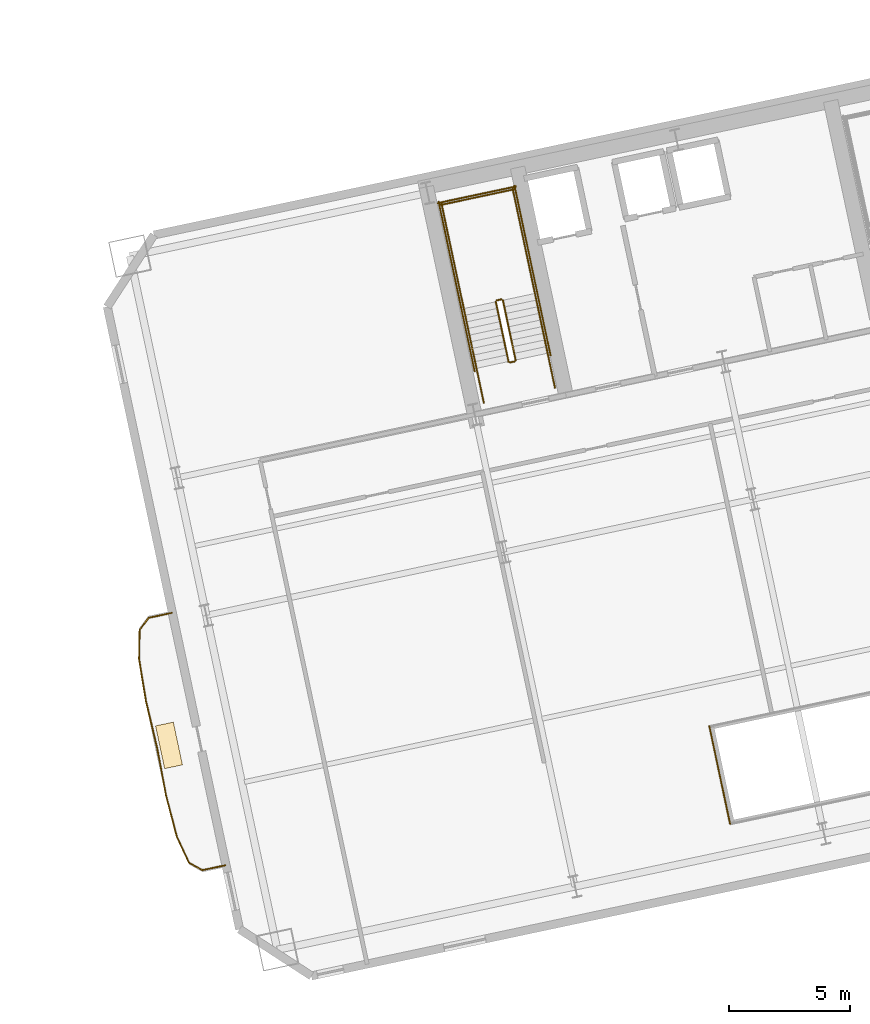
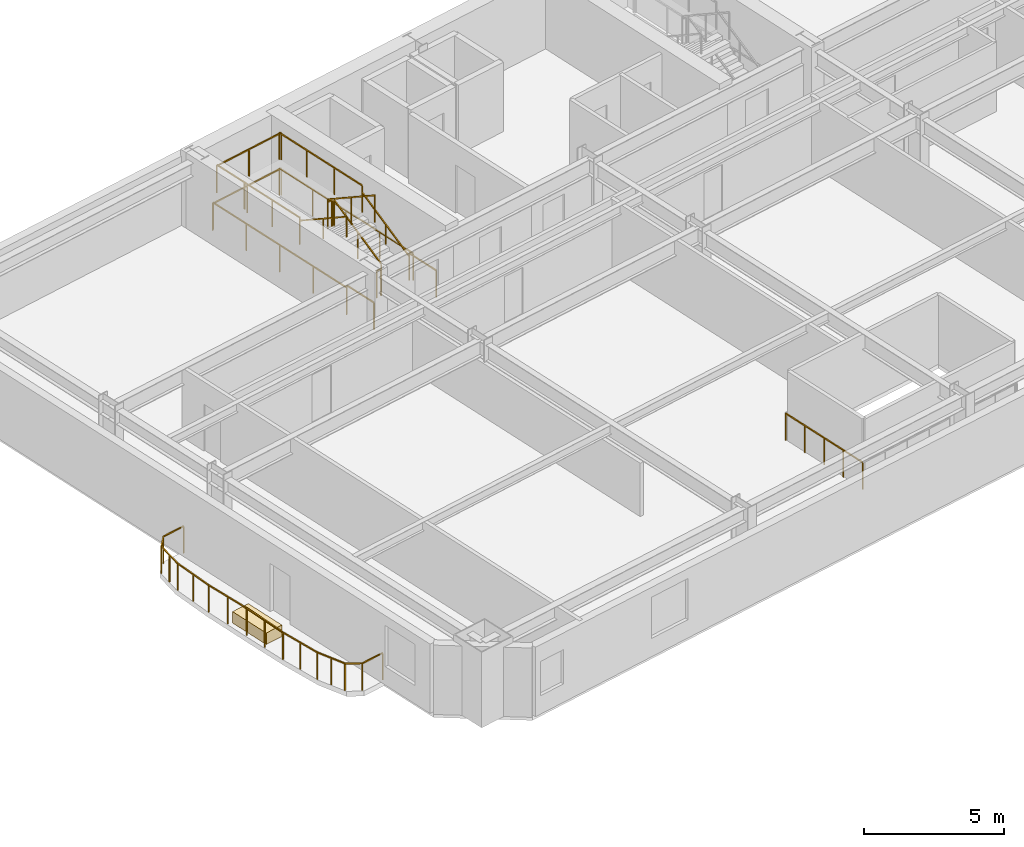
# One storey, part 14 of 15: 25 railings, 1 covering.
"""IFC4 building model written with IfcOpenShell, lengths in metres."""

from ifc_helpers import new_model, si_unit, direction, frame, origin, origin_2d, place, context, subcontext, project, spatial, rectangle, extrude, material, layer, layer_set, type_object, element, save


model = new_model("IFC4")

# Units and contexts
model_context = context("Model", 3, precision=1e-05, world=origin(), true_north=direction((0.0, 1.0)))
body_context = subcontext(model_context, "Body", "Model", "MODEL_VIEW")
ifc_project = project(units=[si_unit("LENGTHUNIT", "METRE"), si_unit("AREAUNIT", "SQUARE_METRE"), si_unit("VOLUMEUNIT", "CUBIC_METRE"), si_unit("PLANEANGLEUNIT", "RADIAN"), si_unit("MASSUNIT", "GRAM", prefix="KILO")], contexts=[model_context])

# Site, building, storey
site_placement = place(None, origin())
site = spatial("IfcSite", under=ifc_project, at=site_placement, CompositionType="ELEMENT")
building_placement = place(site_placement, origin())
building = spatial("IfcBuilding", under=site, at=building_placement, Name="Haevon Station Towers", CompositionType="ELEMENT")
storey_placement = place(building_placement, frame((0.0, 0.0, 63.60009765625)))
storey = spatial("IfcBuildingStorey", under=building, at=storey_placement, Name="L16", CompositionType="ELEMENT", Elevation=63.60009765625)

# Railings
ifc_material_1 = material(Name="Steel S355", Category="steel")
railing_type_1 = type_object("IfcRailingType", Name="BAL-ATR1200", PredefinedType="BALUSTRADE", material=ifc_material_1)
railing_1_placement = place(storey_placement, frame((108.432861328125, 24.582275390625, 0.0)))
element("IfcRailing", 1, at=railing_1_placement, inside=storey, type_object=railing_type_1, Name="L16 Atrium Void Balustrade 4", PredefinedType="BALUSTRADE", context=body_context, shape_type="SweptSolid", body=[
    extrude(rectangle(XDim=0.048095703125, YDim=0.048095703125, at=origin_2d()), frame((0.0, 0.0, 1.17578125), z_axis=(0.207872232727, -0.978155986978, 0.0), x_axis=(0.978155986978, 0.207872232727, 0.0)), (0.0, 0.0, 1.0), 4.116455078125),
    extrude(rectangle(XDim=0.0419921875, YDim=0.0419921875, at=origin_2d()), origin(), (0.0, 0.0, 1.0), 1.15185546875),
    extrude(rectangle(XDim=0.0419921875, YDim=0.0419921875, at=origin_2d()), frame((0.2138671875, -1.006591796875, 0.0)), (0.0, 0.0, 1.0), 1.15185546875),
    extrude(rectangle(XDim=0.0419921875, YDim=0.0419921875, at=origin_2d()), frame((0.427734375, -2.01318359375, 0.0)), (0.0, 0.0, 1.0), 1.15185546875),
    extrude(rectangle(XDim=0.0419921875, YDim=0.0419921875, at=origin_2d()), frame((0.641845703125, -3.02001953125, 0.0)), (0.0, 0.0, 1.0), 1.15185546875),
    extrude(rectangle(XDim=0.0419921875, YDim=0.0419921875, at=origin_2d()), frame((0.855712890625, -4.026611328125, 0.0)), (0.0, 0.0, 1.0), 1.15185546875),
])
railing_type_2 = type_object("IfcRailingType", Name="GRD-EXT1200", PredefinedType="GUARDRAIL", material=ifc_material_1)
railing_2_placement = place(storey_placement, frame((86.256591796875, 29.2626953125, 0.0)))
element("IfcRailing", 2, at=railing_2_placement, inside=storey, type_object=railing_type_2, Name="L16 Perimeter Guardrail 1", PredefinedType="GUARDRAIL", context=body_context, shape_type="SweptSolid", body=[
    extrude(rectangle(XDim=0.048095703125, YDim=0.048095703125, at=origin_2d()), frame((0.0, 0.0, 1.17578125), z_axis=(-0.977758388436, -0.209734436474, 0.0), x_axis=(0.209734436474, -0.977758388436, 0.0)), (0.0, 0.0, 1.0), 0.974365234375),
    extrude(rectangle(XDim=0.0419921875, YDim=0.0419921875, at=origin_2d()), origin(), (0.0, 0.0, 1.0), 1.15185546875),
    extrude(rectangle(XDim=0.0419921875, YDim=0.0419921875, at=origin_2d()), frame((-0.95263671875, -0.204345703125, 0.0)), (0.0, 0.0, 1.0), 1.15185546875),
])
railing_3_placement = place(storey_placement, frame((85.303955078125, 29.058349609375, 0.0)))
element("IfcRailing", 3, at=railing_3_placement, inside=storey, type_object=railing_type_2, Name="L16 Perimeter Guardrail 2", PredefinedType="GUARDRAIL", context=body_context, shape_type="SweptSolid", body=[
    extrude(rectangle(XDim=0.048095703125, YDim=0.048095703125, at=origin_2d()), frame((0.0, 0.0, 1.17578125), z_axis=(-0.59711052014, -0.802158978468, 0.0), x_axis=(0.802158978468, -0.59711052014, 0.0)), (0.0, 0.0, 1.0), 0.622802734375),
    extrude(rectangle(XDim=0.0419921875, YDim=0.0419921875, at=origin_2d()), origin(), (0.0, 0.0, 1.0), 1.15185546875),
    extrude(rectangle(XDim=0.0419921875, YDim=0.0419921875, at=origin_2d()), frame((-0.371826171875, -0.49951171875, 0.0)), (0.0, 0.0, 1.0), 1.15185546875),
])
railing_4_placement = place(storey_placement, frame((84.93212890625, 28.558837890625, 0.0)))
element("IfcRailing", 4, at=railing_4_placement, inside=storey, type_object=railing_type_2, Name="L16 Perimeter Guardrail 3", PredefinedType="GUARDRAIL", context=body_context, shape_type="SweptSolid", body=[
    extrude(rectangle(XDim=0.048095703125, YDim=0.048095703125, at=origin_2d()), frame((0.0, 0.0, 1.17578125), z_axis=(-0.019914748945, -0.999801681722, 0.0), x_axis=(0.999801681722, -0.019914748945, 0.0)), (0.0, 0.0, 1.0), 1.201416015625),
    extrude(rectangle(XDim=0.0419921875, YDim=0.0419921875, at=origin_2d()), origin(), (0.0, 0.0, 1.0), 1.15185546875),
    extrude(rectangle(XDim=0.0419921875, YDim=0.0419921875, at=origin_2d()), frame((-0.011962890625, -0.6005859375, 0.0)), (0.0, 0.0, 1.0), 1.15185546875),
    extrude(rectangle(XDim=0.0419921875, YDim=0.0419921875, at=origin_2d()), frame((-0.02392578125, -1.201171875, 0.0)), (0.0, 0.0, 1.0), 1.15185546875),
])
railing_5_placement = place(storey_placement, frame((84.908203125, 27.357666015625, 0.0)))
element("IfcRailing", 5, at=railing_5_placement, inside=storey, type_object=railing_type_2, Name="L16 Perimeter Guardrail 4", PredefinedType="GUARDRAIL", context=body_context, shape_type="SweptSolid", body=[
    extrude(rectangle(XDim=0.048095703125, YDim=0.048095703125, at=origin_2d()), frame((0.0, 0.0, 1.17578125), z_axis=(0.162386938524, -0.986727156917, 0.0), x_axis=(0.986727156917, 0.162386938524, 0.0)), (0.0, 0.0, 1.0), 1.75146484375),
    extrude(rectangle(XDim=0.0419921875, YDim=0.0419921875, at=origin_2d()), origin(), (0.0, 0.0, 1.0), 1.15185546875),
    extrude(rectangle(XDim=0.0419921875, YDim=0.0419921875, at=origin_2d()), frame((0.14208984375, -0.8642578125, 0.0)), (0.0, 0.0, 1.0), 1.15185546875),
    extrude(rectangle(XDim=0.0419921875, YDim=0.0419921875, at=origin_2d()), frame((0.284423828125, -1.728271484375, 0.0)), (0.0, 0.0, 1.0), 1.15185546875),
])
railing_6_placement = place(storey_placement, frame((85.192626953125, 25.62939453125, 0.0)))
element("IfcRailing", 6, at=railing_6_placement, inside=storey, type_object=railing_type_2, Name="L16 Perimeter Guardrail 5", PredefinedType="GUARDRAIL", context=body_context, shape_type="SweptSolid", body=[
    extrude(rectangle(XDim=0.048095703125, YDim=0.048095703125, at=origin_2d()), frame((0.0, 0.0, 1.17578125), z_axis=(0.231521002883, -0.972829905597, 0.0), x_axis=(0.972829905597, 0.231521002883, 0.0)), (0.0, 0.0, 1.0), 1.98974609375),
    extrude(rectangle(XDim=0.0419921875, YDim=0.0419921875, at=origin_2d()), origin(), (0.0, 0.0, 1.0), 1.15185546875),
    extrude(rectangle(XDim=0.0419921875, YDim=0.0419921875, at=origin_2d()), frame((0.23046875, -0.9677734375, 0.0)), (0.0, 0.0, 1.0), 1.15185546875),
    extrude(rectangle(XDim=0.0419921875, YDim=0.0419921875, at=origin_2d()), frame((0.460693359375, -1.935791015625, 0.0)), (0.0, 0.0, 1.0), 1.15185546875),
])
railing_7_placement = place(storey_placement, frame((85.6533203125, 23.693603515625, 0.0)))
element("IfcRailing", 7, at=railing_7_placement, inside=storey, type_object=railing_type_2, Name="L16 Perimeter Guardrail 6", PredefinedType="GUARDRAIL", context=body_context, shape_type="SweptSolid", body=[
    extrude(rectangle(XDim=0.048095703125, YDim=0.048095703125, at=origin_2d()), frame((0.0, 0.0, 1.17578125), z_axis=(0.18414039291, -0.982899952029, 0.0), x_axis=(0.982899952029, 0.18414039291, 0.0)), (0.0, 0.0, 1.0), 1.989990234375),
    extrude(rectangle(XDim=0.0419921875, YDim=0.0419921875, at=origin_2d()), origin(), (0.0, 0.0, 1.0), 1.15185546875),
    extrude(rectangle(XDim=0.0419921875, YDim=0.0419921875, at=origin_2d()), frame((0.18310546875, -0.97802734375, 0.0)), (0.0, 0.0, 1.0), 1.15185546875),
    extrude(rectangle(XDim=0.0419921875, YDim=0.0419921875, at=origin_2d()), frame((0.366455078125, -1.9560546875, 0.0)), (0.0, 0.0, 1.0), 1.15185546875),
])
railing_8_placement = place(storey_placement, frame((86.019775390625, 21.737548828125, 0.0)))
element("IfcRailing", 8, at=railing_8_placement, inside=storey, type_object=railing_type_2, Name="L16 Perimeter Guardrail 7", PredefinedType="GUARDRAIL", context=body_context, shape_type="SweptSolid", body=[
    extrude(rectangle(XDim=0.048095703125, YDim=0.048095703125, at=origin_2d()), frame((0.0, 0.0, 1.17578125), z_axis=(0.253148180012, -0.967427516125, 0.0), x_axis=(0.967427516125, 0.253148180012, 0.0)), (0.0, 0.0, 1.0), 1.75146484375),
    extrude(rectangle(XDim=0.0419921875, YDim=0.0419921875, at=origin_2d()), origin(), (0.0, 0.0, 1.0), 1.15185546875),
    extrude(rectangle(XDim=0.0419921875, YDim=0.0419921875, at=origin_2d()), frame((0.2216796875, -0.84716796875, 0.0)), (0.0, 0.0, 1.0), 1.15185546875),
    extrude(rectangle(XDim=0.0419921875, YDim=0.0419921875, at=origin_2d()), frame((0.443359375, -1.6943359375, 0.0)), (0.0, 0.0, 1.0), 1.15185546875),
])
railing_9_placement = place(storey_placement, frame((86.463134765625, 20.043212890625, 0.0)))
element("IfcRailing", 9, at=railing_9_placement, inside=storey, type_object=railing_type_2, Name="L16 Perimeter Guardrail 8", PredefinedType="GUARDRAIL", context=body_context, shape_type="SweptSolid", body=[
    extrude(rectangle(XDim=0.048095703125, YDim=0.048095703125, at=origin_2d()), frame((0.0, 0.0, 1.17578125), z_axis=(0.424720211391, -0.905324661122, 0.0), x_axis=(0.905324661122, 0.424720211391, 0.0)), (0.0, 0.0, 1.0), 1.201416015625),
    extrude(rectangle(XDim=0.0419921875, YDim=0.0419921875, at=origin_2d()), origin(), (0.0, 0.0, 1.0), 1.15185546875),
    extrude(rectangle(XDim=0.0419921875, YDim=0.0419921875, at=origin_2d()), frame((0.255126953125, -0.5439453125, 0.0)), (0.0, 0.0, 1.0), 1.15185546875),
    extrude(rectangle(XDim=0.0419921875, YDim=0.0419921875, at=origin_2d()), frame((0.51025390625, -1.087646484375, 0.0)), (0.0, 0.0, 1.0), 1.15185546875),
])
railing_10_placement = place(storey_placement, frame((86.973388671875, 18.95556640625, 0.0)))
element("IfcRailing", 10, at=railing_10_placement, inside=storey, type_object=railing_type_2, Name="L16 Perimeter Guardrail 9", PredefinedType="GUARDRAIL", context=body_context, shape_type="SweptSolid", body=[
    extrude(rectangle(XDim=0.048095703125, YDim=0.048095703125, at=origin_2d()), frame((0.0, 0.0, 1.17578125), z_axis=(0.871816325909, -0.489832924454, 0.0), x_axis=(0.489832924454, 0.871816325909, 0.0)), (0.0, 0.0, 1.0), 0.62255859375),
    extrude(rectangle(XDim=0.0419921875, YDim=0.0419921875, at=origin_2d()), origin(), (0.0, 0.0, 1.0), 1.15185546875),
    extrude(rectangle(XDim=0.0419921875, YDim=0.0419921875, at=origin_2d()), frame((0.542724609375, -0.304931640625, 0.0)), (0.0, 0.0, 1.0), 1.15185546875),
])
railing_11_placement = place(storey_placement, frame((87.51611328125, 18.650634765625, 0.0)))
element("IfcRailing", 11, at=railing_11_placement, inside=storey, type_object=railing_type_2, Name="L16 Perimeter Guardrail 10", PredefinedType="GUARDRAIL", context=body_context, shape_type="SweptSolid", body=[
    extrude(rectangle(XDim=0.048095703125, YDim=0.048095703125, at=origin_2d()), frame((0.0, 0.0, 1.17578125), z_axis=(0.978616190776, 0.20569480098, 0.0), x_axis=(-0.20569480098, 0.978616190776, 0.0)), (0.0, 0.0, 1.0), 0.974365234375),
    extrude(rectangle(XDim=0.0419921875, YDim=0.0419921875, at=origin_2d()), origin(), (0.0, 0.0, 1.0), 1.15185546875),
    extrude(rectangle(XDim=0.0419921875, YDim=0.0419921875, at=origin_2d()), frame((0.95361328125, 0.200439453125, 0.0)), (0.0, 0.0, 1.0), 1.15185546875),
])
railing_type_3 = type_object("IfcRailingType", Name="GRD-STR1200", PredefinedType="GUARDRAIL", material=ifc_material_1)
railing_12_placement = place(storey_placement, frame((100.44140625, 39.69287109375, 0.164794921875)))
element("IfcRailing", 12, at=railing_12_placement, inside=storey, type_object=railing_type_3, Name="L16 ST3 Stair Guard 1", PredefinedType="GUARDRAIL", context=body_context, shape_type="SweptSolid", body=[
    extrude(rectangle(XDim=0.048095703125, YDim=0.048095703125, at=origin_2d()), frame((0.0, 0.0, 1.17578125), z_axis=(-0.179121265225, 0.842687928106, 0.507732831485), x_axis=(-0.978147030254, -0.207914374695, 0.0)), (0.0, 0.0, 1.0), 2.925048828125),
    extrude(rectangle(XDim=0.0419921875, YDim=0.0419921875, at=origin_2d()), origin(), (0.0, 0.0, 1.0), 1.15185546875),
    extrude(rectangle(XDim=0.0419921875, YDim=0.0419921875, at=origin_2d()), frame((-0.261962890625, 1.232421875, 0.74267578125)), (0.0, 0.0, 1.0), 1.15185546875),
    extrude(rectangle(XDim=0.0419921875, YDim=0.0419921875, at=origin_2d()), frame((-0.52392578125, 2.46484375, 1.485107421875)), (0.0, 0.0, 1.0), 1.15185546875),
])
railing_13_placement = place(storey_placement, frame((99.858154296875, 42.1962890625, 1.64990234375)))
element("IfcRailing", 13, at=railing_13_placement, inside=storey, type_object=railing_type_3, Name="L16 ST3 Stair Guard 2", PredefinedType="GUARDRAIL", context=body_context, shape_type="SweptSolid", body=[
    extrude(rectangle(XDim=0.048095703125, YDim=0.048095703125, at=origin_2d()), frame((0.0, 0.0, 1.17578125), z_axis=(-0.977962931203, -0.208778603291, 0.0), x_axis=(0.208778603291, -0.977962931203, 0.0)), (0.0, 0.0, 1.0), 0.199951171875),
    extrude(rectangle(XDim=0.0419921875, YDim=0.0419921875, at=origin_2d()), origin(), (0.0, 0.0, 1.0), 1.15185546875),
    extrude(rectangle(XDim=0.0419921875, YDim=0.0419921875, at=origin_2d()), frame((-0.195556640625, -0.041748046875, 0.0)), (0.0, 0.0, 1.0), 1.15185546875),
])
railing_14_placement = place(storey_placement, frame((101.238037109375, 42.4384765625, 1.64990234375)))
element("IfcRailing", 14, at=railing_14_placement, inside=storey, type_object=railing_type_3, Name="L16 ST3 Stair Guard 3", PredefinedType="GUARDRAIL", context=body_context, shape_type="SweptSolid", body=[
    extrude(rectangle(XDim=0.048095703125, YDim=0.048095703125, at=origin_2d()), frame((0.0, 0.0, 1.17578125), z_axis=(-0.20794048909, 0.978141479029, 0.0), x_axis=(-0.978141479029, -0.20794048909, 0.0)), (0.0, 0.0, 1.0), 4.429931640625),
    extrude(rectangle(XDim=0.0419921875, YDim=0.0419921875, at=origin_2d()), origin(), (0.0, 0.0, 1.0), 1.15185546875),
    extrude(rectangle(XDim=0.0419921875, YDim=0.0419921875, at=origin_2d()), frame((-0.30712890625, 1.4443359375, 0.0)), (0.0, 0.0, 1.0), 1.15185546875),
    extrude(rectangle(XDim=0.0419921875, YDim=0.0419921875, at=origin_2d()), frame((-0.614013671875, 2.888671875, 0.0)), (0.0, 0.0, 1.0), 1.15185546875),
    extrude(rectangle(XDim=0.0419921875, YDim=0.0419921875, at=origin_2d()), frame((-0.921142578125, 4.3330078125, 0.0)), (0.0, 0.0, 1.0), 1.15185546875),
])
railing_15_placement = place(storey_placement, frame((98.303466796875, 41.814697265625, 1.64990234375)))
element("IfcRailing", 15, at=railing_15_placement, inside=storey, type_object=railing_type_3, Name="L16 ST3 Stair Guard 4", PredefinedType="GUARDRAIL", context=body_context, shape_type="SweptSolid", body=[
    extrude(rectangle(XDim=0.048095703125, YDim=0.048095703125, at=origin_2d()), frame((0.0, 0.0, 1.17578125), z_axis=(-0.207876551949, 0.978155069071, 0.0), x_axis=(-0.978155069071, -0.207876551949, 0.0)), (0.0, 0.0, 1.0), 4.429931640625),
    extrude(rectangle(XDim=0.0419921875, YDim=0.0419921875, at=origin_2d()), origin(), (0.0, 0.0, 1.0), 1.15185546875),
    extrude(rectangle(XDim=0.0419921875, YDim=0.0419921875, at=origin_2d()), frame((-0.306884765625, 1.4443359375, 0.0)), (0.0, 0.0, 1.0), 1.15185546875),
    extrude(rectangle(XDim=0.0419921875, YDim=0.0419921875, at=origin_2d()), frame((-0.614013671875, 2.888916015625, 0.0)), (0.0, 0.0, 1.0), 1.15185546875),
    extrude(rectangle(XDim=0.0419921875, YDim=0.0419921875, at=origin_2d()), frame((-0.9208984375, 4.333251953125, 0.0)), (0.0, 0.0, 1.0), 1.15185546875),
])
railing_16_placement = place(storey_placement, frame((100.376220703125, 46.733154296875, 1.64990234375)))
element("IfcRailing", 16, at=railing_16_placement, inside=storey, type_object=railing_type_3, Name="L16 ST3 Stair Guard 5", PredefinedType="GUARDRAIL", context=body_context, shape_type="SweptSolid", body=[
    extrude(rectangle(XDim=0.048095703125, YDim=0.048095703125, at=origin_2d()), frame((0.0, 0.0, 1.17578125), z_axis=(-0.978146839882, -0.207915270313, 0.0), x_axis=(0.207915270313, -0.978146839882, 0.0)), (0.0, 0.0, 1.0), 3.099853515625),
    extrude(rectangle(XDim=0.0419921875, YDim=0.0419921875, at=origin_2d()), origin(), (0.0, 0.0, 1.0), 1.15185546875),
    extrude(rectangle(XDim=0.0419921875, YDim=0.0419921875, at=origin_2d()), frame((-1.51611328125, -0.322265625, 0.0)), (0.0, 0.0, 1.0), 1.15185546875),
    extrude(rectangle(XDim=0.0419921875, YDim=0.0419921875, at=origin_2d()), frame((-3.0322265625, -0.64453125, 0.0)), (0.0, 0.0, 1.0), 1.15185546875),
])
railing_17_placement = place(storey_placement, frame((99.6240234375, 42.09521484375, 1.81494140625)))
element("IfcRailing", 17, at=railing_17_placement, inside=storey, type_object=railing_type_3, Name="L16 ST3 Stair Guard 6", PredefinedType="GUARDRAIL", context=body_context, shape_type="SweptSolid", body=[
    extrude(rectangle(XDim=0.048095703125, YDim=0.048095703125, at=origin_2d()), frame((0.0, 0.0, 1.17578125), z_axis=(0.179128856099, -0.842723639875, 0.507670877349), x_axis=(0.978147030254, 0.207914374695, 0.0)), (0.0, 0.0, 1.0), 2.9248046875),
    extrude(rectangle(XDim=0.0419921875, YDim=0.0419921875, at=origin_2d()), origin(), (0.0, 0.0, 1.0), 1.15185546875),
    extrude(rectangle(XDim=0.0419921875, YDim=0.0419921875, at=origin_2d()), frame((0.261962890625, -1.232421875, 0.742431640625)), (0.0, 0.0, 1.0), 1.15185546875),
    extrude(rectangle(XDim=0.0419921875, YDim=0.0419921875, at=origin_2d()), frame((0.52392578125, -2.46484375, 1.48486328125)), (0.0, 0.0, 1.0), 1.15185546875),
])
railing_18_placement = place(storey_placement, frame((100.40283203125, 39.633544921875, 0.0)))
element("IfcRailing", 18, at=railing_18_placement, inside=storey, type_object=railing_type_3, Name="L16 ST3 Stair Guard 7", PredefinedType="GUARDRAIL", context=body_context, shape_type="SweptSolid", body=[
    extrude(rectangle(XDim=0.048095703125, YDim=0.048095703125, at=origin_2d()), frame((0.0, 0.0, 1.17578125), z_axis=(-0.977962931203, -0.208778603291, 0.0), x_axis=(0.208778603291, -0.977962931203, 0.0)), (0.0, 0.0, 1.0), 0.199951171875),
    extrude(rectangle(XDim=0.0419921875, YDim=0.0419921875, at=origin_2d()), origin(), (0.0, 0.0, 1.0), 1.15185546875),
    extrude(rectangle(XDim=0.0419921875, YDim=0.0419921875, at=origin_2d()), frame((-0.195556640625, -0.041748046875, 0.0)), (0.0, 0.0, 1.0), 1.15185546875),
])
for number, where, name in (
    (19, (102.0634765625, 38.55517578125, 0.0), "L16 ST3 Stair Guard 8"),
    (20, (99.12890625, 37.931396484375, 0.0), "L16 ST3 Stair Guard 9"),
):
    element("IfcRailing", number, at=place(storey_placement, frame(where)), inside=storey, type_object=railing_type_3, Name=name, PredefinedType="GUARDRAIL", context=body_context, shape_type="SweptSolid", body=[
        extrude(rectangle(XDim=0.048095703125, YDim=0.048095703125, at=origin_2d()), frame((0.0, 0.0, 1.17578125), z_axis=(-0.207953405961, 0.978138732977, 0.0), x_axis=(-0.978138732977, -0.207953405961, 0.0)), (0.0, 0.0, 1.0), 1.449951171875),
        extrude(rectangle(XDim=0.0419921875, YDim=0.0419921875, at=origin_2d()), origin(), (0.0, 0.0, 1.0), 1.15185546875),
        extrude(rectangle(XDim=0.0419921875, YDim=0.0419921875, at=origin_2d()), frame((-0.301513671875, 1.418212890625, 0.0)), (0.0, 0.0, 1.0), 1.15185546875),
    ])
railing_19_placement = place(storey_placement, frame((101.88037109375, 39.896484375, 0.0)))
element("IfcRailing", 21, at=railing_19_placement, inside=storey, type_object=railing_type_3, Name="L16 ST3 Stair Guard 10", PredefinedType="GUARDRAIL", context=body_context, shape_type="SweptSolid", body=[
    extrude(rectangle(XDim=0.048095703125, YDim=0.048095703125, at=origin_2d()), frame((0.0, 0.0, 1.17578125), z_axis=(-0.207882442208, 0.978153817261, 0.0), x_axis=(-0.978153817261, -0.207882442208, 0.0)), (0.0, 0.0, 1.0), 7.14990234375),
    extrude(rectangle(XDim=0.0419921875, YDim=0.0419921875, at=origin_2d()), origin(), (0.0, 0.0, 1.0), 1.15185546875),
    extrude(rectangle(XDim=0.0419921875, YDim=0.0419921875, at=origin_2d()), frame((-0.37158203125, 1.74853515625, 0.0)), (0.0, 0.0, 1.0), 1.15185546875),
    extrude(rectangle(XDim=0.0419921875, YDim=0.0419921875, at=origin_2d()), frame((-0.7431640625, 3.496826171875, 0.0)), (0.0, 0.0, 1.0), 1.15185546875),
    extrude(rectangle(XDim=0.0419921875, YDim=0.0419921875, at=origin_2d()), frame((-1.11474609375, 5.2451171875, 0.0)), (0.0, 0.0, 1.0), 1.15185546875),
    extrude(rectangle(XDim=0.0419921875, YDim=0.0419921875, at=origin_2d()), frame((-1.486328125, 6.99365234375, 0.0)), (0.0, 0.0, 1.0), 1.15185546875),
])
railing_20_placement = place(storey_placement, frame((98.75048828125, 39.231201171875, 0.0)))
element("IfcRailing", 22, at=railing_20_placement, inside=storey, type_object=railing_type_3, Name="L16 ST3 Stair Guard 11", PredefinedType="GUARDRAIL", context=body_context, shape_type="SweptSolid", body=[
    extrude(rectangle(XDim=0.048095703125, YDim=0.048095703125, at=origin_2d()), frame((0.0, 0.0, 1.17578125), z_axis=(-0.207915112487, 0.978146873429, 0.0), x_axis=(-0.978146873429, -0.207915112487, 0.0)), (0.0, 0.0, 1.0), 7.14990234375),
    extrude(rectangle(XDim=0.0419921875, YDim=0.0419921875, at=origin_2d()), origin(), (0.0, 0.0, 1.0), 1.15185546875),
    extrude(rectangle(XDim=0.0419921875, YDim=0.0419921875, at=origin_2d()), frame((-0.37158203125, 1.74853515625, 0.0)), (0.0, 0.0, 1.0), 1.15185546875),
    extrude(rectangle(XDim=0.0419921875, YDim=0.0419921875, at=origin_2d()), frame((-0.7431640625, 3.496826171875, 0.0)), (0.0, 0.0, 1.0), 1.15185546875),
    extrude(rectangle(XDim=0.0419921875, YDim=0.0419921875, at=origin_2d()), frame((-1.114990234375, 5.2451171875, 0.0)), (0.0, 0.0, 1.0), 1.15185546875),
    extrude(rectangle(XDim=0.0419921875, YDim=0.0419921875, at=origin_2d()), frame((-1.486572265625, 6.99365234375, 0.0)), (0.0, 0.0, 1.0), 1.15185546875),
])
railing_21_placement = place(storey_placement, frame((100.453125, 46.8515625, 0.0)))
element("IfcRailing", 23, at=railing_21_placement, inside=storey, type_object=railing_type_3, Name="L16 ST3 Stair Guard 12", PredefinedType="GUARDRAIL", context=body_context, shape_type="SweptSolid", body=[
    extrude(rectangle(XDim=0.048095703125, YDim=0.048095703125, at=origin_2d()), frame((0.0, 0.0, 1.17578125), z_axis=(-0.978150764849, -0.207896804268, 0.0), x_axis=(0.207896804268, -0.978150764849, 0.0)), (0.0, 0.0, 1.0), 3.2998046875),
    extrude(rectangle(XDim=0.0419921875, YDim=0.0419921875, at=origin_2d()), origin(), (0.0, 0.0, 1.0), 1.15185546875),
    extrude(rectangle(XDim=0.0419921875, YDim=0.0419921875, at=origin_2d()), frame((-1.61376953125, -0.343017578125, 0.0)), (0.0, 0.0, 1.0), 1.15185546875),
    extrude(rectangle(XDim=0.0419921875, YDim=0.0419921875, at=origin_2d()), frame((-3.227783203125, -0.68603515625, 0.0)), (0.0, 0.0, 1.0), 1.15185546875),
])
railing_type_4 = type_object("IfcRailingType", Name="HND-STR900", PredefinedType="HANDRAIL", material=ifc_material_1)
railing_22_placement = place(storey_placement, frame((101.761962890625, 39.973388671875, 0.164794921875)))
element("IfcRailing", 24, at=railing_22_placement, inside=storey, type_object=railing_type_4, Name="L16 ST3 Stair Handrail 1", PredefinedType="HANDRAIL", context=body_context, shape_type="SweptSolid", body=[
    extrude(rectangle(XDim=0.048095703125, YDim=0.048095703125, at=origin_2d()), frame((0.0, 0.0, 0.8759765625), z_axis=(-0.179108667068, 0.842712120868, 0.50769712105), x_axis=(-0.978151217824, -0.207894673017, 0.0)), (0.0, 0.0, 1.0), 2.92529296875),
    extrude(rectangle(XDim=0.0419921875, YDim=0.0419921875, at=origin_2d()), origin(), (0.0, 0.0, 1.0), 0.851806640625),
    extrude(rectangle(XDim=0.0419921875, YDim=0.0419921875, at=origin_2d()), frame((-0.261962890625, 1.232421875, 0.74267578125)), (0.0, 0.0, 1.0), 0.851806640625),
    extrude(rectangle(XDim=0.0419921875, YDim=0.0419921875, at=origin_2d()), frame((-0.52392578125, 2.465087890625, 1.485107421875)), (0.0, 0.0, 1.0), 0.851806640625),
])
railing_23_placement = place(storey_placement, frame((98.303466796875, 41.814697265625, 1.81494140625)))
element("IfcRailing", 25, at=railing_23_placement, inside=storey, type_object=railing_type_4, Name="L16 ST3 Stair Handrail 2", PredefinedType="HANDRAIL", context=body_context, shape_type="SweptSolid", body=[
    extrude(rectangle(XDim=0.048095703125, YDim=0.048095703125, at=origin_2d()), frame((0.0, 0.0, 0.8759765625), z_axis=(0.179116256339, -0.842747828638, 0.507635168246), x_axis=(0.978151217824, 0.207894673017, 0.0)), (0.0, 0.0, 1.0), 2.925048828125),
    extrude(rectangle(XDim=0.0419921875, YDim=0.0419921875, at=origin_2d()), origin(), (0.0, 0.0, 1.0), 0.851806640625),
    extrude(rectangle(XDim=0.0419921875, YDim=0.0419921875, at=origin_2d()), frame((0.261962890625, -1.232421875, 0.742431640625)), (0.0, 0.0, 1.0), 0.851806640625),
    extrude(rectangle(XDim=0.0419921875, YDim=0.0419921875, at=origin_2d()), frame((0.52392578125, -2.465087890625, 1.48486328125)), (0.0, 0.0, 1.0), 0.851806640625),
])

# Covering
ifc_material_2 = material(Name="Architectural planter GRC", Category="concrete")
ifc_layer = layer(ifc_material_2, 0.550048828125)
ifc_layer_set = layer_set([ifc_layer], Name="Architectural planter GRC")
covering_type = type_object("IfcCoveringType", Name="PLN-GRC550", PredefinedType="MOLDING", material=ifc_layer_set)
covering_placement = place(storey_placement, frame((86.144287109375, 23.7978515625, 0.0), z_axis=(0.0, 0.0, 1.0), x_axis=(0.978147600734, 0.207911690818, 0.0)))
element("IfcCovering", 26, at=covering_placement, inside=storey, type_object=covering_type, Name="Tower 2 L16 Scalloped Balcony PLANTER", PredefinedType="MOLDING", context=body_context, shape_type="SweptSolid", body=[
    extrude(rectangle(XDim=0.75, YDim=1.800048828125, at=origin_2d()), origin(), (0.0, 0.0, 1.0), 0.5),
])

save(model, "model.ifc")
